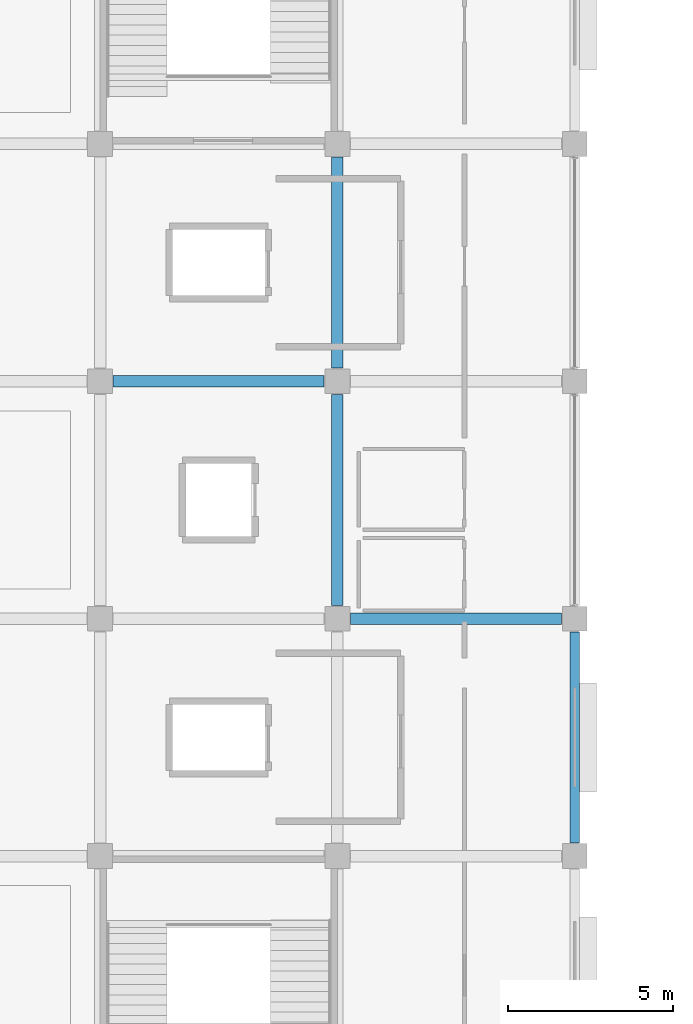
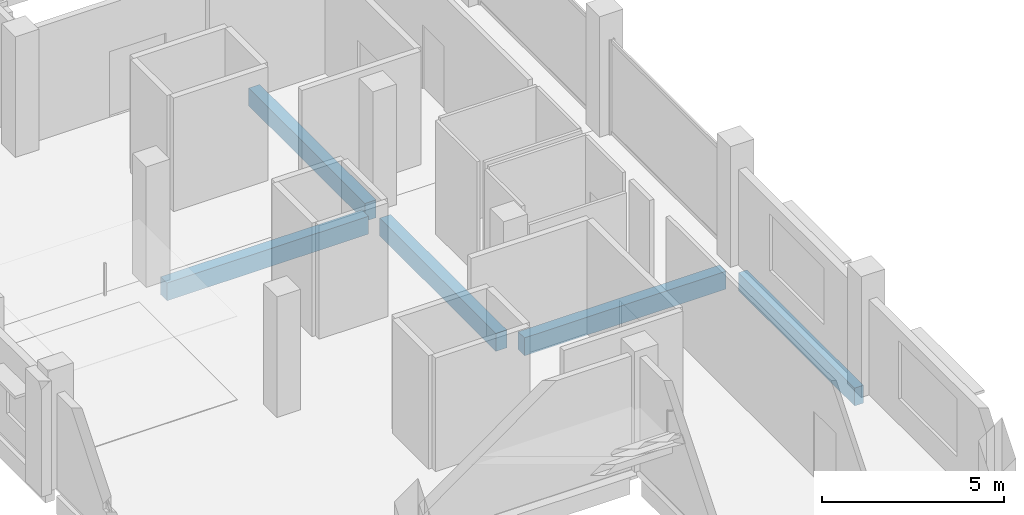
# One storey, part 9 of 91: 5 beams.
"""IFC4 building model written with IfcOpenShell, lengths in metres."""

from ifc_helpers import new_model, si_unit, direction, frame, origin, origin_2d, place, context, subcontext, project, spatial, rectangle, extrude, material, material_profile, profile_set, type_object, element, save


model = new_model("IFC4")

# Units and contexts
model_context = context("Model", 3, precision=1e-05, world=origin(), true_north=direction((0.0, 1.0)))
body_context = subcontext(model_context, "Body", "Model", "MODEL_VIEW")
ifc_project = project(units=[si_unit("LENGTHUNIT", "METRE"), si_unit("AREAUNIT", "SQUARE_METRE"), si_unit("VOLUMEUNIT", "CUBIC_METRE"), si_unit("PLANEANGLEUNIT", "RADIAN"), si_unit("MASSUNIT", "GRAM", prefix="KILO")], contexts=[model_context])

# Site, building, storey
site_placement = place(None, origin())
site = spatial("IfcSite", under=ifc_project, at=site_placement, CompositionType="ELEMENT")
building_placement = place(site_placement, origin())
building = spatial("IfcBuilding", under=site, at=building_placement, Name="Kangsadwip Square Police Headquarters", CompositionType="ELEMENT")
storey_placement = place(building_placement, frame((0.0, 0.0, 13.5)))
storey = spatial("IfcBuildingStorey", under=building, at=storey_placement, Name="L03", CompositionType="ELEMENT", Elevation=13.5)

# Beams
ifc_material_1 = material(Name="Concrete M35 (35 MPa)", Category="concrete")
ifc_material_profile_1 = material_profile(ifc_material_1, rectangle(XDim=0.35009765625, YDim=0.60009765625, at=origin_2d()), Name="RC BM 600X350")
ifc_profile_set_1 = profile_set([ifc_material_profile_1], Name="Concrete M35 (35 MPa)")
beam_type_1 = type_object("IfcBeamType", Name="RcBeam600x350", PredefinedType="BEAM", material=ifc_profile_set_1)
for number, where, z_axis, x_axis, name in (
    (1, (14.800048828125, 57.60009765625, -0.5400390625), (1.0, 0.0, 0.0), (0.0, 1.0, 0.0), "Beam BM-L03-X-02-08"),
    (2, (7.60009765625, 64.800048828125, -0.5400390625), (1.0, 0.0, 0.0), (0.0, 1.0, 0.0), "Beam BM-L03-X-01-09"),
    (3, (14.39990234375, 58.0, -0.5400390625), (0.0, 1.0, 0.0), (-1.0, 0.0, 0.0), "Beam BM-L03-Y-02-08"),
):
    element("IfcBeam", number, at=place(storey_placement, frame(where, z_axis=z_axis, x_axis=x_axis)), inside=storey, type_object=beam_type_1, Name=name, PredefinedType="BEAM", context=body_context, shape_type="SweptSolid", body=[
        extrude(rectangle(XDim=0.35009765625, YDim=0.60009765625, at=origin_2d()), origin(), (0.0, 0.0, 1.0), 6.39990234375),
    ])
beam_1_placement = place(storey_placement, frame((14.39990234375, 65.199951171875, -0.5400390625), z_axis=(0.0, 1.0, 0.0), x_axis=(-1.0, 0.0, 0.0)))
element("IfcBeam", 4, at=beam_1_placement, inside=storey, type_object=beam_type_1, Name="Beam BM-L03-Y-02-09", PredefinedType="BEAM", context=body_context, shape_type="SweptSolid", body=[
    extrude(rectangle(XDim=0.35009765625, YDim=0.60009765625, at=origin_2d()), origin(), (0.0, 0.0, 1.0), 6.400146484375),
])
ifc_material_2 = material(Name="Concrete M40 (40 MPa)", Category="concrete")
ifc_material_profile_2 = material_profile(ifc_material_2, rectangle(XDim=0.280029296875, YDim=0.60009765625, at=origin_2d()), Name="RC SPN 600X280")
ifc_profile_set_2 = profile_set([ifc_material_profile_2], Name="Concrete M40 (40 MPa)")
beam_type_2 = type_object("IfcBeamType", Name="RcSpandrel600x280", PredefinedType="SPANDREL", material=ifc_profile_set_2)
beam_2_placement = place(storey_placement, frame((21.60009765625, 50.800048828125, -0.5400390625), z_axis=(0.0, 1.0, 0.0), x_axis=(-1.0, 0.0, 0.0)))
element("IfcBeam", 5, at=beam_2_placement, inside=storey, type_object=beam_type_2, Name="Beam BM-L03-Y-03-07", PredefinedType="SPANDREL", context=body_context, shape_type="SweptSolid", body=[
    extrude(rectangle(XDim=0.280029296875, YDim=0.60009765625, at=origin_2d()), origin(), (0.0, 0.0, 1.0), 6.39990234375),
])

save(model, "model.ifc")
